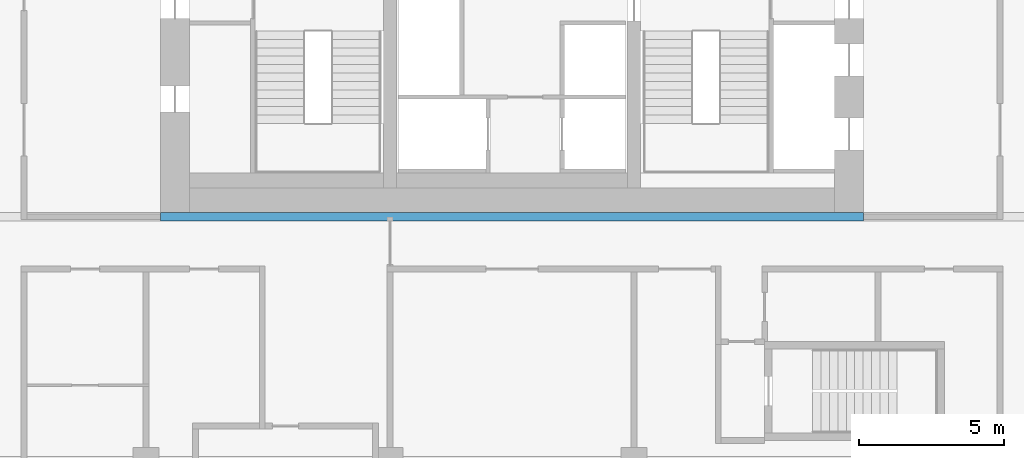
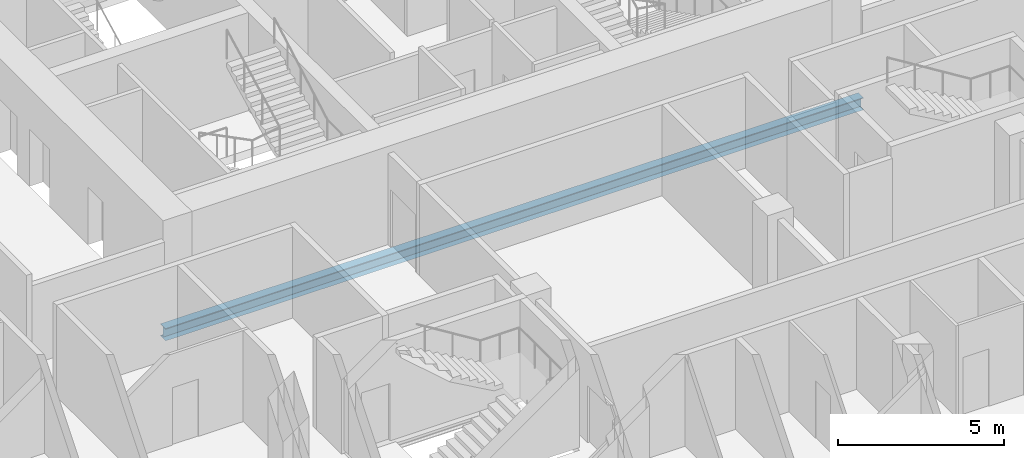
# One storey, part 5 of 23: 1 beam.
"""IFC4 building model written with IfcOpenShell, lengths in metres."""

from ifc_helpers import new_model, si_unit, direction, frame, origin, origin_2d, place, context, subcontext, project, spatial, i_section, extrude, material, material_profile, profile_set, type_object, element, save


model = new_model("IFC4")

# Units and contexts
model_context = context("Model", 3, precision=1e-05, world=origin(), true_north=direction((0.0, 1.0)))
body_context = subcontext(model_context, "Body", "Model", "MODEL_VIEW")
ifc_project = project(units=[si_unit("LENGTHUNIT", "METRE"), si_unit("AREAUNIT", "SQUARE_METRE"), si_unit("VOLUMEUNIT", "CUBIC_METRE"), si_unit("PLANEANGLEUNIT", "RADIAN"), si_unit("MASSUNIT", "GRAM", prefix="KILO")], contexts=[model_context])

# Site, building, storey
site_placement = place(None, origin())
site = spatial("IfcSite", under=ifc_project, at=site_placement, CompositionType="ELEMENT")
building_placement = place(site_placement, origin())
building = spatial("IfcBuilding", under=site, at=building_placement, Name="Marenta Gate Hotel Tower", CompositionType="ELEMENT")
storey_placement = place(building_placement, frame((0.0, 0.0, 104.89990234375)))
storey = spatial("IfcBuildingStorey", under=building, at=storey_placement, Name="L22", CompositionType="ELEMENT", Elevation=104.89990234375)

# Beam
ifc_material = material(Name="Steel S355", Category="steel")
ifc_material_profile = material_profile(ifc_material, i_section(OverallWidth=0.300048828125, OverallDepth=0.449951171875, WebThickness=0.013916015625, FlangeThickness=0.02587890625, FilletRadius=0.027099609375, at=origin_2d()), Name="HEB 450")
ifc_profile_set = profile_set([ifc_material_profile], Name="Steel S355")
beam_type = type_object("IfcBeamType", Name="Girder HEB 450", PredefinedType="BEAM", material=ifc_profile_set)
beam_placement = place(storey_placement, frame((-12.10009765625, 0.0, -0.48486328125), z_axis=(1.0, 0.0, 0.0), x_axis=(0.0, 1.0, 0.0)))
element("IfcBeam", 1, at=beam_placement, inside=storey, type_object=beam_type, Name="L22-GD-17", PredefinedType="BEAM", context=body_context, shape_type="SweptSolid", body=[
    extrude(i_section(OverallWidth=0.300048828125, OverallDepth=0.449951171875, WebThickness=0.013916015625, FlangeThickness=0.02587890625, FilletRadius=0.027099609375, at=origin_2d()), origin(), (0.0, 0.0, 1.0), 24.2001953125),
])

save(model, "model.ifc")
